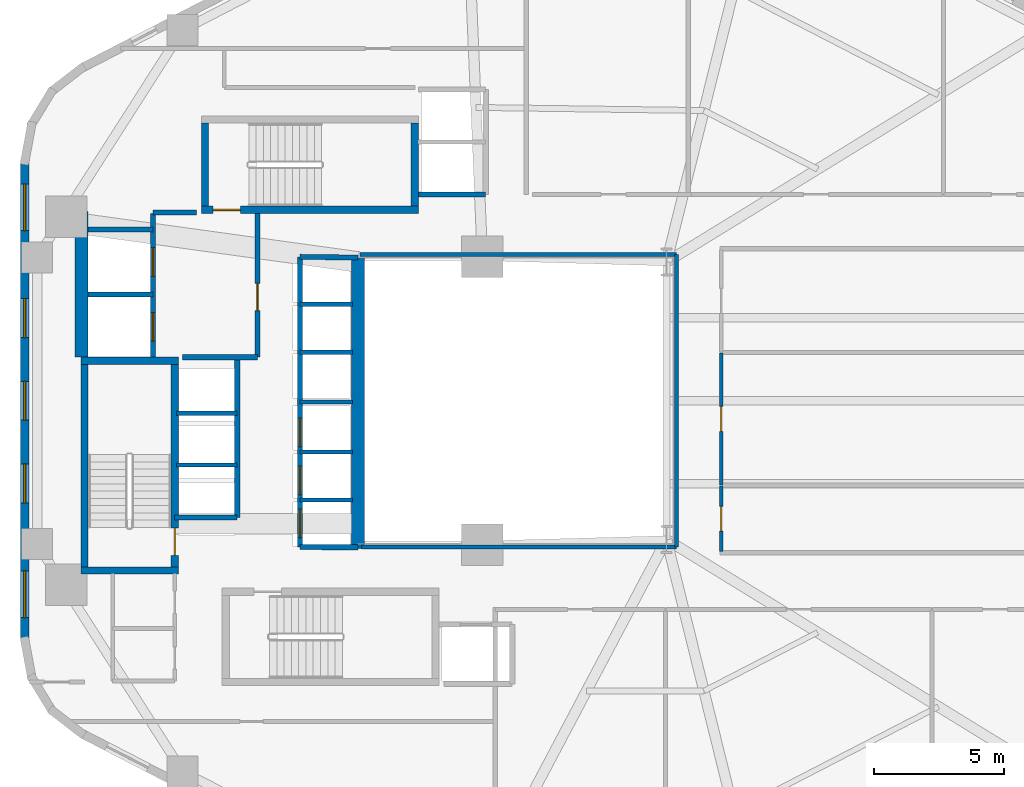
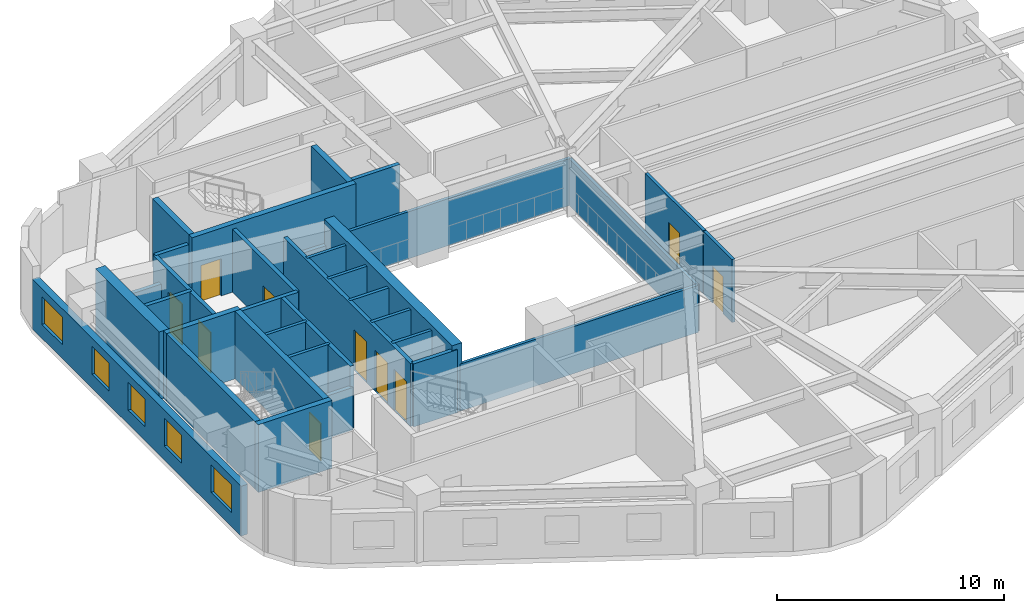
# One storey, part 3 of 6: 34 walls, 10 doors, 5 windows, 15 openings.
"""IFC4 building model written with IfcOpenShell, lengths in metres."""

from ifc_helpers import new_model, si_unit, direction, frame, frame_2d, origin, place, context, subcontext, project, spatial, rectangle, extrude, material, layer, layer_set, type_object, element, fill, save


model = new_model("IFC4")

# Units and contexts
model_context = context("Model", 3, precision=1e-05, world=origin(), true_north=direction((0.0, 1.0)))
body_context = subcontext(model_context, "Body", "Model", "MODEL_VIEW")
ifc_project = project(units=[si_unit("LENGTHUNIT", "METRE"), si_unit("AREAUNIT", "SQUARE_METRE"), si_unit("VOLUMEUNIT", "CUBIC_METRE"), si_unit("PLANEANGLEUNIT", "RADIAN"), si_unit("MASSUNIT", "GRAM", prefix="KILO"), si_unit("THERMODYNAMICTEMPERATUREUNIT", "KELVIN"), si_unit("POWERUNIT", "WATT")], contexts=[model_context])

# Site, building, storey
site_placement = place(None, origin())
site = spatial("IfcSite", under=ifc_project, at=site_placement, CompositionType="ELEMENT")
building_placement = place(site_placement, origin())
building = spatial("IfcBuilding", under=site, at=building_placement, Name="Skarre Station Tower", CompositionType="ELEMENT")
storey_placement = place(building_placement, frame((0.0, 0.0, 67.14990234375)))
storey = spatial("IfcBuildingStorey", under=building, at=storey_placement, Name="L17", CompositionType="ELEMENT", Elevation=67.14990234375)

# Walls
ifc_material_1 = material(Name="Acoustic Steel-Stud Gypsum Partition", Category="steel")
ifc_layer_1 = layer(ifc_material_1, 0.14990234375, Name="Acoustic Steel-Stud Gypsum Partition")
ifc_layer_set_1 = layer_set([ifc_layer_1], Name="Acoustic Steel-Stud Gypsum Partition")
wall_type_1 = type_object("IfcWallType", Name="Fire-Rated Corridor Acoustic Partition 150", PredefinedType="PARTITIONING", material=ifc_layer_set_1)
wall_1_placement = place(storey_placement, frame((27.699951171875, 18.360107421875, 0.0), z_axis=(0.0, 0.0, 1.0), x_axis=(1.0, 0.0, 0.0)))
element("IfcWall", 1, at=wall_1_placement, inside=storey, type_object=wall_type_1, Name="L17 Interior Partition WL-PT-L17-ATRW-S", PredefinedType="PARTITIONING", context=body_context, shape_type="SweptSolid", body=[
    extrude(rectangle(XDim=12.14013671875, YDim=0.14990234375, at=frame_2d((6.070068359375, 0.0))), origin(), (0.0, 0.0, 1.0), 2.531005859375),
])
wall_2_placement = place(storey_placement, frame((39.840087890625, 29.639892578125, 0.0), z_axis=(0.0, 0.0, 1.0), x_axis=(-1.0, 0.0, 0.0)))
element("IfcWall", 2, at=wall_2_placement, inside=storey, type_object=wall_type_1, Name="L17 Interior Partition WL-PT-L17-ATRW-N", PredefinedType="PARTITIONING", context=body_context, shape_type="SweptSolid", body=[
    extrude(rectangle(XDim=12.2001953125, YDim=0.14990234375, at=frame_2d((6.10009765625, 0.0))), origin(), (0.0, 0.0, 1.0), 2.531005859375),
])
wall_3_placement = place(storey_placement, frame((39.840087890625, 18.360107421875, 0.0), z_axis=(0.0, 0.0, 1.0), x_axis=(0.0, 1.0, 0.0)))
element("IfcWall", 3, at=wall_3_placement, inside=storey, type_object=wall_type_1, Name="L17 Interior Partition WL-PT-L17-ATRW-E", PredefinedType="PARTITIONING", context=body_context, shape_type="SweptSolid", body=[
    extrude(rectangle(XDim=11.27978515625, YDim=0.14990234375, at=frame_2d((5.639892578125, 0.0))), origin(), (0.0, 0.0, 1.0), 2.51318359375),
])

# Wall, opening, door
wall_4_placement = place(storey_placement, frame((41.56005859375, 18.179931640625, 0.0), z_axis=(0.0, 0.0, 1.0), x_axis=(0.0, 1.0, 0.0)))
wall_4 = element("IfcWall", 4, at=wall_4_placement, inside=storey, type_object=wall_type_1, Name="L17 Interior Partition WL-PT-L17-EW1-CW", PredefinedType="PARTITIONING", context=body_context, shape_type="SweptSolid", body=[
    extrude(rectangle(XDim=2.54296875, YDim=0.14990234375, at=frame_2d((1.271484375, 0.0))), origin(), (0.0, 0.0, 1.0), 3.39013671875),
])
opening_1_placement = place(wall_4_placement, frame((0.7919921875, 0.0, 0.0)))
opening_1 = element("IfcOpeningElement", 5, at=opening_1_placement, cuts=wall_4, Name="Opening DR-FD60", PredefinedType="OPENING", context=body_context, shape_type="SweptSolid", body=[
    extrude(rectangle(XDim=0.9599609375, YDim=2.0, at=frame_2d((0.47998046875, 1.0))), frame((0.0, 0.0849609375, 0.0), z_axis=(0.0, -1.0, 0.0), x_axis=(1.0, 0.0, 0.0)), (0.0, 0.0, 1.0), 0.169921875),
])
ifc_material_2 = material(Name="Nordic White-Oak Veneer Solid-Core Fire Leaf", Category="wood")
door_type_1 = type_object("IfcDoorType", Name="Corridor Suite Entry Fire Door FD60 960x2150", OperationType="SINGLE_SWING_LEFT", PredefinedType="DOOR", material=ifc_material_2)
door_1_placement = place(opening_1_placement, origin())
door_1 = element("IfcDoor", 6, at=door_1_placement, inside=storey, type_object=door_type_1, Name="L17 EW1 Entry Door", OperationType="SINGLE_SWING_LEFT", OverallHeight=2.0, OverallWidth=0.9599609375, PredefinedType="DOOR", context=body_context, shape_type="SweptSolid", body=[
    extrude(rectangle(XDim=0.9599609375, YDim=2.0, at=frame_2d((0.47998046875, 1.0))), frame((0.0, 0.02490234375, 0.0), z_axis=(0.0, -1.0, 0.0), x_axis=(1.0, 0.0, 0.0)), (0.0, 0.0, 1.0), 0.050048828125),
])
fill(opening_1, door_1)

wall_5_placement = place(storey_placement, frame((41.56005859375, 20.759033203125, 0.0), z_axis=(0.0, 0.0, 1.0), x_axis=(0.0, 1.0, 0.0)))
wall_5 = element("IfcWall", 7, at=wall_5_placement, inside=storey, type_object=wall_type_1, Name="L17 Interior Partition WL-PT-L17-EW2-CW", PredefinedType="PARTITIONING", context=body_context, shape_type="SweptSolid", body=[
    extrude(rectangle(XDim=5.0849609375, YDim=0.14990234375, at=frame_2d((2.54248046875, 0.0))), origin(), (0.0, 0.0, 1.0), 3.39013671875),
])
opening_2_placement = place(wall_5_placement, frame((2.06298828125, 0.0, 0.0)))
opening_2 = element("IfcOpeningElement", 8, at=opening_2_placement, cuts=wall_5, Name="Opening DR-FD60", PredefinedType="OPENING", context=body_context, shape_type="SweptSolid", body=[
    extrude(rectangle(XDim=0.9599609375, YDim=2.0, at=frame_2d((0.47998046875, 1.0))), frame((0.0, 0.0849609375, 0.0), z_axis=(0.0, -1.0, 0.0), x_axis=(1.0, 0.0, 0.0)), (0.0, 0.0, 1.0), 0.169921875),
])
door_2_placement = place(opening_2_placement, origin())
door_2 = element("IfcDoor", 9, at=door_2_placement, inside=storey, type_object=door_type_1, Name="L17 EW2 Entry Door", OperationType="SINGLE_SWING_LEFT", OverallHeight=2.0, OverallWidth=0.9599609375, PredefinedType="DOOR", context=body_context, shape_type="SweptSolid", body=[
    extrude(rectangle(XDim=0.9599609375, YDim=2.0, at=frame_2d((0.47998046875, 1.0))), frame((0.0, 0.02490234375, 0.0), z_axis=(0.0, -1.0, 0.0), x_axis=(1.0, 0.0, 0.0)), (0.0, 0.0, 1.0), 0.050048828125),
])
fill(opening_2, door_2)

# Wall, openings, windows
ifc_material_3 = material(Name="Precast concrete C45/55", Category="concrete")
ifc_layer_2 = layer(ifc_material_3, 0.340087890625, Name="Precast concrete C45/55")
ifc_layer_set_2 = layer_set([ifc_layer_2], Name="Precast concrete C45/55")
wall_type_2 = type_object("IfcWallType", Name="Nordic Honed Precast Facet Wall 340", PredefinedType="STANDARD", material=ifc_layer_set_2)
wall_6_placement = place(storey_placement, frame((14.70703125, 14.798095703125, 0.0), z_axis=(0.0, 0.0, 1.0), x_axis=(0.0, 1.0, 0.0)))
wall_6 = element("IfcWall", 10, at=wall_6_placement, inside=storey, type_object=wall_type_2, Name="L17 Facet 2 Nordic Precast Masonry Wall", PredefinedType="STANDARD", context=body_context, shape_type="SweptSolid", body=[
    extrude(rectangle(XDim=18.40380859375, YDim=0.340087890625, at=frame_2d((9.201904296875, 0.0))), origin(), (0.0, 0.0, 1.0), 2.68408203125),
])
opening_3_placement = place(wall_6_placement, frame((0.844970703125, 0.0, 0.75)))
opening_3 = element("IfcOpeningElement", 11, at=opening_3_placement, cuts=wall_6, Name="Opening WN-Z1A", PredefinedType="OPENING", context=body_context, shape_type="SweptSolid", body=[
    extrude(rectangle(XDim=1.800048828125, YDim=1.5, at=frame_2d((0.89990234375, 0.75))), frame((0.0, 0.179931640625, 0.0), z_axis=(0.0, -1.0, 0.0), x_axis=(1.0, 0.0, 0.0)), (0.0, 0.0, 1.0), 0.360107421875),
])
opening_4_placement = place(wall_6_placement, frame((5.264892578125, 0.0, 0.75)))
opening_4 = element("IfcOpeningElement", 12, at=opening_4_placement, cuts=wall_6, Name="Opening WN-Z1B", PredefinedType="OPENING", context=body_context, shape_type="SweptSolid", body=[
    extrude(rectangle(XDim=1.5, YDim=1.5, at=frame_2d((0.75, 0.75))), frame((0.0, 0.179931640625, 0.0), z_axis=(0.0, -1.0, 0.0), x_axis=(1.0, 0.0, 0.0)), (0.0, 0.0, 1.0), 0.360107421875),
])
opening_5_placement = place(wall_6_placement, frame((8.451904296875, 0.0, 0.75)))
opening_5 = element("IfcOpeningElement", 13, at=opening_5_placement, cuts=wall_6, Name="Opening WN-Z1B", PredefinedType="OPENING", context=body_context, shape_type="SweptSolid", body=[
    extrude(rectangle(XDim=1.5, YDim=1.5, at=frame_2d((0.75, 0.75))), frame((0.0, 0.179931640625, 0.0), z_axis=(0.0, -1.0, 0.0), x_axis=(1.0, 0.0, 0.0)), (0.0, 0.0, 1.0), 0.360107421875),
])
opening_6_placement = place(wall_6_placement, frame((11.638916015625, 0.0, 0.75)))
opening_6 = element("IfcOpeningElement", 14, at=opening_6_placement, cuts=wall_6, Name="Opening WN-Z1B", PredefinedType="OPENING", context=body_context, shape_type="SweptSolid", body=[
    extrude(rectangle(XDim=1.5, YDim=1.5, at=frame_2d((0.75, 0.75))), frame((0.0, 0.179931640625, 0.0), z_axis=(0.0, -1.0, 0.0), x_axis=(1.0, 0.0, 0.0)), (0.0, 0.0, 1.0), 0.360107421875),
])
opening_7_placement = place(wall_6_placement, frame((15.758056640625, 0.0, 0.75)))
opening_7 = element("IfcOpeningElement", 15, at=opening_7_placement, cuts=wall_6, Name="Opening WN-Z1A", PredefinedType="OPENING", context=body_context, shape_type="SweptSolid", body=[
    extrude(rectangle(XDim=1.800048828125, YDim=1.5, at=frame_2d((0.89990234375, 0.75))), frame((0.0, 0.179931640625, 0.0), z_axis=(0.0, -1.0, 0.0), x_axis=(1.0, 0.0, 0.0)), (0.0, 0.0, 1.0), 0.360107421875),
])
ifc_material_4 = material(Name="Low-Iron Triple Glazing with Bronze Anodized Frame", Category="glass")
window_type_1 = type_object("IfcWindowType", Name="Nordic Punched Triple-Glazed Window 1500x1500", PartitioningType="SINGLE_PANEL", PredefinedType="WINDOW", material=ifc_material_4)
window_1_placement = place(opening_4_placement, origin())
window_1 = element("IfcWindow", 16, at=window_1_placement, inside=storey, type_object=window_type_1, Name="L17 Facade Window WL-FAC-L17-F2-2", OverallHeight=1.5, OverallWidth=1.5, PartitioningType="SINGLE_PANEL", PredefinedType="WINDOW", context=body_context, shape_type="SweptSolid", body=[
    extrude(rectangle(XDim=1.5, YDim=1.5, at=frame_2d((0.75, 0.75))), frame((0.0, 0.030029296875, 0.0), z_axis=(0.0, -1.0, 0.0), x_axis=(1.0, 0.0, 0.0)), (0.0, 0.0, 1.0), 0.06005859375),
])
fill(opening_4, window_1)
window_2_placement = place(opening_5_placement, origin())
window_2 = element("IfcWindow", 17, at=window_2_placement, inside=storey, type_object=window_type_1, Name="L17 Facade Window WL-FAC-L17-F2-3", OverallHeight=1.5, OverallWidth=1.5, PartitioningType="SINGLE_PANEL", PredefinedType="WINDOW", context=body_context, shape_type="SweptSolid", body=[
    extrude(rectangle(XDim=1.5, YDim=1.5, at=frame_2d((0.75, 0.75))), frame((0.0, 0.030029296875, 0.0), z_axis=(0.0, -1.0, 0.0), x_axis=(1.0, 0.0, 0.0)), (0.0, 0.0, 1.0), 0.06005859375),
])
fill(opening_5, window_2)
window_3_placement = place(opening_6_placement, origin())
window_3 = element("IfcWindow", 18, at=window_3_placement, inside=storey, type_object=window_type_1, Name="L17 Facade Window WL-FAC-L17-F2-4", OverallHeight=1.5, OverallWidth=1.5, PartitioningType="SINGLE_PANEL", PredefinedType="WINDOW", context=body_context, shape_type="SweptSolid", body=[
    extrude(rectangle(XDim=1.5, YDim=1.5, at=frame_2d((0.75, 0.75))), frame((0.0, 0.030029296875, 0.0), z_axis=(0.0, -1.0, 0.0), x_axis=(1.0, 0.0, 0.0)), (0.0, 0.0, 1.0), 0.06005859375),
])
fill(opening_6, window_3)
window_type_2 = type_object("IfcWindowType", Name="Nordic Punched Triple-Glazed Window 1800x1500", PartitioningType="SINGLE_PANEL", PredefinedType="WINDOW", material=ifc_material_4)
window_4_placement = place(opening_3_placement, origin())
window_4 = element("IfcWindow", 19, at=window_4_placement, inside=storey, type_object=window_type_2, Name="L17 Facade Window WL-FAC-L17-F2-1", OverallHeight=1.5, OverallWidth=1.800048828125, PartitioningType="SINGLE_PANEL", PredefinedType="WINDOW", context=body_context, shape_type="SweptSolid", body=[
    extrude(rectangle(XDim=1.800048828125, YDim=1.5, at=frame_2d((0.89990234375, 0.75))), frame((0.0, 0.030029296875, 0.0), z_axis=(0.0, -1.0, 0.0), x_axis=(1.0, 0.0, 0.0)), (0.0, 0.0, 1.0), 0.06005859375),
])
fill(opening_3, window_4)
window_5_placement = place(opening_7_placement, origin())
window_5 = element("IfcWindow", 20, at=window_5_placement, inside=storey, type_object=window_type_2, Name="L17 Facade Window WL-FAC-L17-F2-5", OverallHeight=1.5, OverallWidth=1.800048828125, PartitioningType="SINGLE_PANEL", PredefinedType="WINDOW", context=body_context, shape_type="SweptSolid", body=[
    extrude(rectangle(XDim=1.800048828125, YDim=1.5, at=frame_2d((0.89990234375, 0.75))), frame((0.0, 0.030029296875, 0.0), z_axis=(0.0, -1.0, 0.0), x_axis=(1.0, 0.0, 0.0)), (0.0, 0.0, 1.0), 0.06005859375),
])
fill(opening_7, window_5)

# Walls
ifc_material_5 = material(Name="Concrete C50/60", Category="concrete")
ifc_layer_3 = layer(ifc_material_5, 0.280029296875, Name="Concrete C50/60")
ifc_layer_set_3 = layer_set([ifc_layer_3], Name="Concrete C50/60")
wall_type_3 = type_object("IfcWallType", Name="RC Core Shear Wall 280", PredefinedType="SHEAR", material=ifc_layer_set_3)
for number, where, z_axis, x_axis, name in (
    (21, (16.8701171875, 17.4599609375, 0.0), (0.0, 0.0, 1.0), (1.0, 0.0, 0.0), "L17 Stair ST-1 South Shear Wall"),
    (22, (20.6298828125, 25.5400390625, 0.0), (0.0, 0.0, 1.0), (-1.0, 0.0, 0.0), "L17 Stair ST-1 North Shear Wall"),
):
    element("IfcWall", number, at=place(storey_placement, frame(where, z_axis=z_axis, x_axis=x_axis)), inside=storey, type_object=wall_type_3, Name=name, PredefinedType="SHEAR", context=body_context, shape_type="SweptSolid", body=[
        extrude(rectangle(XDim=3.759765625, YDim=0.280029296875, at=frame_2d((1.8798828125, 0.0))), origin(), (0.0, 0.0, 1.0), 3.650146484375),
    ])
wall_7_placement = place(storey_placement, frame((17.010009765625, 25.39990234375, 0.0), z_axis=(0.0, 0.0, 1.0), x_axis=(0.0, -1.0, 0.0)))
element("IfcWall", 23, at=wall_7_placement, inside=storey, type_object=wall_type_3, Name="L17 Stair ST-1 West Shear Wall", PredefinedType="SHEAR", context=body_context, shape_type="SweptSolid", body=[
    extrude(rectangle(XDim=7.7998046875, YDim=0.280029296875, at=frame_2d((3.89990234375, 0.0))), origin(), (0.0, 0.0, 1.0), 3.650146484375),
])

# Wall, opening, door
wall_8_placement = place(storey_placement, frame((20.489990234375, 17.60009765625, 0.0), z_axis=(0.0, 0.0, 1.0), x_axis=(0.0, 1.0, 0.0)))
wall_8 = element("IfcWall", 24, at=wall_8_placement, inside=storey, type_object=wall_type_3, Name="L17 Stair ST-1 East Shear Wall", PredefinedType="SHEAR", context=body_context, shape_type="SweptSolid", body=[
    extrude(rectangle(XDim=7.7998046875, YDim=0.280029296875, at=frame_2d((3.89990234375, 0.0))), origin(), (0.0, 0.0, 1.0), 3.650146484375),
])
opening_8_placement = place(wall_8_placement, frame((0.43994140625, 0.0, 0.0)))
opening_8 = element("IfcOpeningElement", 25, at=opening_8_placement, cuts=wall_8, Name="Opening DR-FD90", PredefinedType="OPENING", context=body_context, shape_type="SweptSolid", body=[
    extrude(rectangle(XDim=1.050048828125, YDim=2.0, at=frame_2d((0.52490234375, 1.0))), frame((0.0, 0.14990234375, 0.0), z_axis=(0.0, -1.0, 0.0), x_axis=(1.0, 0.0, 0.0)), (0.0, 0.0, 1.0), 0.300048828125),
])
ifc_material_6 = material(Name="Fire-Rated Insulated Steel Frame & Timber Core Leaf", Category="steel")
door_type_2 = type_object("IfcDoorType", Name="Stair & FSAE Lobby Fire Door FD90 1050x2150", OperationType="SINGLE_SWING_RIGHT", PredefinedType="DOOR", material=ifc_material_6)
door_3_placement = place(opening_8_placement, origin())
door_3 = element("IfcDoor", 26, at=door_3_placement, inside=storey, type_object=door_type_2, Name="L17 Stair ST-1 Exit Door", OperationType="SINGLE_SWING_RIGHT", OverallHeight=2.0, OverallWidth=1.050048828125, PredefinedType="DOOR", context=body_context, shape_type="SweptSolid", body=[
    extrude(rectangle(XDim=1.050048828125, YDim=2.0, at=frame_2d((0.52490234375, 1.0))), frame((0.0, 0.02490234375, 0.0), z_axis=(0.0, -1.0, 0.0), x_axis=(1.0, 0.0, 0.0)), (0.0, 0.0, 1.0), 0.050048828125),
])
fill(opening_8, door_3)

wall_9_placement = place(storey_placement, frame((21.52001953125, 31.360107421875, 0.0), z_axis=(0.0, 0.0, 1.0), x_axis=(1.0, 0.0, 0.0)))
wall_9 = element("IfcWall", 27, at=wall_9_placement, inside=storey, type_object=wall_type_3, Name="L17 Stair ST-3 South Shear Wall", PredefinedType="SHEAR", context=body_context, shape_type="SweptSolid", body=[
    extrude(rectangle(XDim=8.35986328125, YDim=0.280029296875, at=frame_2d((4.179931640625, 0.0))), origin(), (0.0, 0.0, 1.0), 3.650146484375),
])
opening_9_placement = place(wall_9_placement, frame((0.449951171875, 0.0, 0.0)))
opening_9 = element("IfcOpeningElement", 28, at=opening_9_placement, cuts=wall_9, Name="Opening DR-FD90", PredefinedType="OPENING", context=body_context, shape_type="SweptSolid", body=[
    extrude(rectangle(XDim=1.050048828125, YDim=2.0, at=frame_2d((0.52490234375, 1.0))), frame((0.0, 0.14990234375, 0.0), z_axis=(0.0, -1.0, 0.0), x_axis=(1.0, 0.0, 0.0)), (0.0, 0.0, 1.0), 0.300048828125),
])
door_4_placement = place(opening_9_placement, origin())
door_4 = element("IfcDoor", 29, at=door_4_placement, inside=storey, type_object=door_type_2, Name="L17 Stair ST-3 & FSAE Lobby Direct Exit Door", OperationType="SINGLE_SWING_LEFT", OverallHeight=2.0, OverallWidth=1.050048828125, PredefinedType="DOOR", context=body_context, shape_type="SweptSolid", body=[
    extrude(rectangle(XDim=1.050048828125, YDim=2.0, at=frame_2d((0.52490234375, 1.0))), frame((0.0, 0.02490234375, 0.0), z_axis=(0.0, -1.0, 0.0), x_axis=(1.0, 0.0, 0.0)), (0.0, 0.0, 1.0), 0.050048828125),
])
fill(opening_9, door_4)

# Walls
for number, where, z_axis, x_axis, name in (
    (30, (21.659912109375, 34.699951171875, 0.0), (0.0, 0.0, 1.0), (0.0, -1.0, 0.0), "L17 Stair ST-3 West Shear Wall"),
    (31, (29.739990234375, 31.5, 0.0), (0.0, 0.0, 1.0), (0.0, 1.0, 0.0), "L17 Stair ST-3 East Shear Wall"),
):
    element("IfcWall", number, at=place(storey_placement, frame(where, z_axis=z_axis, x_axis=x_axis)), inside=storey, type_object=wall_type_3, Name=name, PredefinedType="SHEAR", context=body_context, shape_type="SweptSolid", body=[
        extrude(rectangle(XDim=3.199951171875, YDim=0.280029296875, at=frame_2d((1.60009765625, 0.0))), origin(), (0.0, 0.0, 1.0), 3.650146484375),
    ])
ifc_material_7 = material(Name="Concrete C70/85", Category="concrete")
ifc_layer_4 = layer(ifc_material_7, 0.5, Name="Concrete C70/85")
ifc_layer_set_4 = layer_set([ifc_layer_4], Name="Concrete C70/85")
wall_type_4 = type_object("IfcWallType", Name="RC Core Shear Wall 500", PredefinedType="SHEAR", material=ifc_layer_set_4)
wall_10_placement = place(storey_placement, frame((16.89990234375, 25.679931640625, 0.0), z_axis=(0.0, 0.0, 1.0), x_axis=(0.0, 1.0, 0.0)))
element("IfcWall", 32, at=wall_10_placement, inside=storey, type_object=wall_type_4, Name="L17 Core West-North Shear Wall", PredefinedType="SHEAR", context=body_context, shape_type="SweptSolid", body=[
    extrude(rectangle(XDim=5.6201171875, YDim=0.5, at=frame_2d((2.81005859375, 0.0))), origin(), (0.0, 0.0, 1.0), 3.650146484375),
])
wall_11_placement = place(storey_placement, frame((27.550048828125, 29.550048828125, 0.0), z_axis=(0.0, 0.0, 1.0), x_axis=(0.0, -1.0, 0.0)))
element("IfcWall", 33, at=wall_11_placement, inside=storey, type_object=wall_type_4, Name="L17 Core East Atrium Shear Wall", PredefinedType="SHEAR", context=body_context, shape_type="SweptSolid", body=[
    extrude(rectangle(XDim=11.25, YDim=0.5, at=frame_2d((5.625, 0.0))), origin(), (0.0, 0.0, 1.0), 3.650146484375),
])

# Wall, openings, doors
ifc_material_8 = material(Name="Gypsum Concrete Shaft Assembly C30/37", Category="concrete")
ifc_layer_5 = layer(ifc_material_8, 0.199951171875, Name="Gypsum Concrete Shaft Assembly C30/37")
ifc_layer_set_5 = layer_set([ifc_layer_5], Name="Gypsum Concrete Shaft Assembly C30/37")
wall_type_5 = type_object("IfcWallType", Name="Shaft & Core Fire Partition 200", PredefinedType="PARTITIONING", material=ifc_layer_set_5)
wall_12_placement = place(storey_placement, frame((19.64990234375, 25.679931640625, 0.0), z_axis=(0.0, 0.0, 1.0), x_axis=(0.0, 1.0, 0.0)))
wall_12 = element("IfcWall", 34, at=wall_12_placement, inside=storey, type_object=wall_type_5, Name="L17 Interior Partition WL-PT-L17-FSAE-W", PredefinedType="PARTITIONING", context=body_context, shape_type="SweptSolid", body=[
    extrude(rectangle(XDim=5.5400390625, YDim=0.199951171875, at=frame_2d((2.77001953125, 0.0))), origin(), (0.0, 0.0, 1.0), 3.39013671875),
])
opening_10_placement = place(wall_12_placement, frame((0.6201171875, 0.0, 0.0)))
opening_10 = element("IfcOpeningElement", 35, at=opening_10_placement, cuts=wall_12, Name="Opening LD-FF1", PredefinedType="OPENING", context=body_context, shape_type="SweptSolid", body=[
    extrude(rectangle(XDim=1.10009765625, YDim=2.199951171875, at=frame_2d((0.550048828125, 1.10009765625))), frame((0.0, 0.10986328125, 0.0), z_axis=(0.0, -1.0, 0.0), x_axis=(1.0, 0.0, 0.0)), (0.0, 0.0, 1.0), 0.219970703125),
])
opening_11_placement = place(wall_12_placement, frame((3.1201171875, 0.0, 0.0)))
opening_11 = element("IfcOpeningElement", 36, at=opening_11_placement, cuts=wall_12, Name="Opening LD-FF2", PredefinedType="OPENING", context=body_context, shape_type="SweptSolid", body=[
    extrude(rectangle(XDim=1.10009765625, YDim=2.199951171875, at=frame_2d((0.550048828125, 1.10009765625))), frame((0.0, 0.10986328125, 0.0), z_axis=(0.0, -1.0, 0.0), x_axis=(1.0, 0.0, 0.0)), (0.0, 0.0, 1.0), 0.219970703125),
])
ifc_material_9 = material(Name="Fire-Rated Stainless Steel Grade 316L Sliding Leaves", Category="steel")
door_type_3 = type_object("IfcDoorType", Name="Fire Service Access Elevator Sliding Landing Door 1100x2200", OperationType="SLIDING_TO_LEFT", PredefinedType="DOOR", material=ifc_material_9)
door_5_placement = place(opening_10_placement, origin())
door_5 = element("IfcDoor", 37, at=door_5_placement, inside=storey, type_object=door_type_3, Name="L17 Firefighting Lift LF-FF1 Landing Door", OperationType="SLIDING_TO_LEFT", OverallHeight=2.199951171875, OverallWidth=1.10009765625, PredefinedType="DOOR", context=body_context, shape_type="SweptSolid", body=[
    extrude(rectangle(XDim=1.10009765625, YDim=2.199951171875, at=frame_2d((0.550048828125, 1.10009765625))), frame((0.0, 0.02490234375, 0.0), z_axis=(0.0, -1.0, 0.0), x_axis=(1.0, 0.0, 0.0)), (0.0, 0.0, 1.0), 0.050048828125),
])
fill(opening_10, door_5)
door_6_placement = place(opening_11_placement, origin())
door_6 = element("IfcDoor", 38, at=door_6_placement, inside=storey, type_object=door_type_3, Name="L17 Firefighting Lift LF-FF2 Landing Door", OperationType="SLIDING_TO_LEFT", OverallHeight=2.199951171875, OverallWidth=1.10009765625, PredefinedType="DOOR", context=body_context, shape_type="SweptSolid", body=[
    extrude(rectangle(XDim=1.10009765625, YDim=2.199951171875, at=frame_2d((0.550048828125, 1.10009765625))), frame((0.0, 0.02490234375, 0.0), z_axis=(0.0, -1.0, 0.0), x_axis=(1.0, 0.0, 0.0)), (0.0, 0.0, 1.0), 0.050048828125),
])
fill(opening_11, door_6)

# Wall
wall_13_placement = place(storey_placement, frame((20.79296875, 25.679931640625, 0.0), z_axis=(0.0, 0.0, 1.0), x_axis=(1.0, 0.0, 0.0)))
element("IfcWall", 39, at=wall_13_placement, inside=storey, type_object=wall_type_5, Name="L17 Interior Partition WL-PT-L17-FSAE-S", PredefinedType="PARTITIONING", context=body_context, shape_type="SweptSolid", body=[
    extrude(rectangle(XDim=2.886962890625, YDim=0.199951171875, at=frame_2d((1.443359375, 0.0))), origin(), (0.0, 0.0, 1.0), 3.39013671875),
])

# Wall, opening, door
wall_14_placement = place(storey_placement, frame((23.679931640625, 25.679931640625, 0.0), z_axis=(0.0, 0.0, 1.0), x_axis=(0.0, 1.0, 0.0)))
wall_14 = element("IfcWall", 40, at=wall_14_placement, inside=storey, type_object=wall_type_5, Name="L17 Interior Partition WL-PT-L17-FSAE-E", PredefinedType="PARTITIONING", context=body_context, shape_type="SweptSolid", body=[
    extrude(rectangle(XDim=5.5400390625, YDim=0.199951171875, at=frame_2d((2.77001953125, 0.0))), origin(), (0.0, 0.0, 1.0), 3.39013671875),
])
opening_12_placement = place(wall_14_placement, frame((1.800048828125, 0.0, 0.0)))
opening_12 = element("IfcOpeningElement", 41, at=opening_12_placement, cuts=wall_14, Name="Opening DR-FD90", PredefinedType="OPENING", context=body_context, shape_type="SweptSolid", body=[
    extrude(rectangle(XDim=1.050048828125, YDim=2.0, at=frame_2d((0.52490234375, 1.0))), frame((0.0, 0.10986328125, 0.0), z_axis=(0.0, -1.0, 0.0), x_axis=(1.0, 0.0, 0.0)), (0.0, 0.0, 1.0), 0.219970703125),
])
door_7_placement = place(opening_12_placement, origin())
door_7 = element("IfcDoor", 42, at=door_7_placement, inside=storey, type_object=door_type_2, Name="L17 FSAE Lobby Fire Door", OperationType="SINGLE_SWING_RIGHT", OverallHeight=2.0, OverallWidth=1.050048828125, PredefinedType="DOOR", context=body_context, shape_type="SweptSolid", body=[
    extrude(rectangle(XDim=1.050048828125, YDim=2.0, at=frame_2d((0.52490234375, 1.0))), frame((0.0, 0.02490234375, 0.0), z_axis=(0.0, -1.0, 0.0), x_axis=(1.0, 0.0, 0.0)), (0.0, 0.0, 1.0), 0.050048828125),
])
fill(opening_12, door_7)

# Walls
wall_15_placement = place(storey_placement, frame((21.330078125, 31.260009765625, 0.0), z_axis=(0.0, 0.0, 1.0), x_axis=(-1.0, 0.0, 0.0)))
element("IfcWall", 43, at=wall_15_placement, inside=storey, type_object=wall_type_5, Name="L17 Interior Partition WL-PT-L17-FSAE-N", PredefinedType="PARTITIONING", context=body_context, shape_type="SweptSolid", body=[
    extrude(rectangle(XDim=1.68017578125, YDim=0.199951171875, at=frame_2d((0.840087890625, 0.0))), origin(), (0.0, 0.0, 1.0), 3.39013671875),
])
wall_16_placement = place(storey_placement, frame((17.14990234375, 28.10009765625, 0.0), z_axis=(0.0, 0.0, 1.0), x_axis=(1.0, 0.0, 0.0)))
element("IfcWall", 44, at=wall_16_placement, inside=storey, type_object=wall_type_5, Name="L17 Interior Partition WL-PT-L17-FF-DIV", PredefinedType="PARTITIONING", context=body_context, shape_type="SweptSolid", body=[
    extrude(rectangle(XDim=2.5, YDim=0.199951171875, at=frame_2d((1.25, 0.0))), origin(), (0.0, 0.0, 1.0), 3.39013671875),
])
wall_17_placement = place(storey_placement, frame((19.64990234375, 30.60009765625, 0.0), z_axis=(0.0, 0.0, 1.0), x_axis=(-1.0, 0.0, 0.0)))
element("IfcWall", 45, at=wall_17_placement, inside=storey, type_object=wall_type_5, Name="L17 Interior Partition WL-PT-L17-FF-N", PredefinedType="PARTITIONING", context=body_context, shape_type="SweptSolid", body=[
    extrude(rectangle(XDim=2.5, YDim=0.199951171875, at=frame_2d((1.25, 0.0))), origin(), (0.0, 0.0, 1.0), 2.2900390625),
])
wall_18_placement = place(storey_placement, frame((32.47998046875, 31.949951171875, 0.0), z_axis=(0.0, 0.0, 1.0), x_axis=(-1.0, 0.0, 0.0)))
element("IfcWall", 46, at=wall_18_placement, inside=storey, type_object=wall_type_5, Name="L17 Interior Partition WL-PT-L17-EX-S", PredefinedType="PARTITIONING", context=body_context, shape_type="SweptSolid", body=[
    extrude(rectangle(XDim=2.60009765625, YDim=0.199951171875, at=frame_2d((1.300048828125, 0.0))), origin(), (0.0, 0.0, 1.0), 3.39013671875),
])
wall_19_placement = place(storey_placement, frame((22.89990234375, 19.5, 0.0), z_axis=(0.0, 0.0, 1.0), x_axis=(0.0, 1.0, 0.0)))
element("IfcWall", 47, at=wall_19_placement, inside=storey, type_object=wall_type_5, Name="L17 Interior Partition WL-PT-L17-B3-E", PredefinedType="PARTITIONING", context=body_context, shape_type="SweptSolid", body=[
    extrude(rectangle(XDim=6.0849609375, YDim=0.199951171875, at=frame_2d((3.04248046875, 0.0))), origin(), (0.0, 0.0, 1.0), 3.39013671875),
])
wall_20_placement = place(storey_placement, frame((20.489990234375, 19.5, 0.0), z_axis=(0.0, 0.0, 1.0), x_axis=(1.0, 0.0, 0.0)))
element("IfcWall", 48, at=wall_20_placement, inside=storey, type_object=wall_type_5, Name="L17 Interior Partition WL-PT-L17-B3-S", PredefinedType="PARTITIONING", context=body_context, shape_type="SweptSolid", body=[
    extrude(rectangle(XDim=2.409912109375, YDim=0.199951171875, at=frame_2d((1.205078125, 0.0))), origin(), (0.0, 0.0, 1.0), 2.2900390625),
])
for number, where, z_axis, x_axis, name in (
    (49, (20.550048828125, 21.52001953125, 0.0), (0.0, 0.0, 1.0), (1.0, 0.0, 0.0), "L17 Interior Partition WL-PT-L17-B3-D1"),
    (50, (20.550048828125, 23.52001953125, 0.0), (0.0, 0.0, 1.0), (1.0, 0.0, 0.0), "L17 Interior Partition WL-PT-L17-B3-D2"),
):
    element("IfcWall", number, at=place(storey_placement, frame(where, z_axis=z_axis, x_axis=x_axis)), inside=storey, type_object=wall_type_5, Name=name, PredefinedType="PARTITIONING", context=body_context, shape_type="SweptSolid", body=[
        extrude(rectangle(XDim=2.349853515625, YDim=0.159912109375, at=frame_2d((1.1748046875, 0.0))), origin(), (0.0, 0.0, 1.0), 3.39013671875),
    ])

# Wall, openings, doors
wall_21_placement = place(storey_placement, frame((25.320068359375, 29.550048828125, 0.0), z_axis=(0.0, 0.0, 1.0), x_axis=(0.0, -1.0, 0.0)))
wall_21 = element("IfcWall", 51, at=wall_21_placement, inside=storey, type_object=wall_type_5, Name="L17 Interior Partition WL-PT-L17-B12-W", PredefinedType="PARTITIONING", context=body_context, shape_type="SweptSolid", body=[
    extrude(rectangle(XDim=11.18994140625, YDim=0.199951171875, at=frame_2d((5.594970703125, 0.0))), origin(), (0.0, 0.0, 1.0), 3.39013671875),
])
opening_13_placement = place(wall_21_placement, frame((6.219970703125, 0.0, 0.0)))
opening_13 = element("IfcOpeningElement", 52, at=opening_13_placement, cuts=wall_21, Name="Opening LD-P3", PredefinedType="OPENING", context=body_context, shape_type="SweptSolid", body=[
    extrude(rectangle(XDim=1.10009765625, YDim=2.199951171875, at=frame_2d((0.550048828125, 1.10009765625))), frame((0.0, 0.10986328125, 0.0), z_axis=(0.0, -1.0, 0.0), x_axis=(1.0, 0.0, 0.0)), (0.0, 0.0, 1.0), 0.219970703125),
])
opening_14_placement = place(wall_21_placement, frame((8.070068359375, 0.0, 0.0)))
opening_14 = element("IfcOpeningElement", 53, at=opening_14_placement, cuts=wall_21, Name="Opening LD-P2", PredefinedType="OPENING", context=body_context, shape_type="SweptSolid", body=[
    extrude(rectangle(XDim=1.10009765625, YDim=2.199951171875, at=frame_2d((0.550048828125, 1.10009765625))), frame((0.0, 0.10986328125, 0.0), z_axis=(0.0, -1.0, 0.0), x_axis=(1.0, 0.0, 0.0)), (0.0, 0.0, 1.0), 0.219970703125),
])
opening_15_placement = place(wall_21_placement, frame((9.72998046875, 0.0, 0.0)))
opening_15 = element("IfcOpeningElement", 54, at=opening_15_placement, cuts=wall_21, Name="Opening LD-P1", PredefinedType="OPENING", context=body_context, shape_type="SweptSolid", body=[
    extrude(rectangle(XDim=1.10009765625, YDim=2.199951171875, at=frame_2d((0.550048828125, 1.10009765625))), frame((0.0, 0.10986328125, 0.0), z_axis=(0.0, -1.0, 0.0), x_axis=(1.0, 0.0, 0.0)), (0.0, 0.0, 1.0), 0.219970703125),
])
ifc_material_10 = material(Name="Brushed Bronze Stainless Steel Sliding Leaves", Category="steel")
door_type_4 = type_object("IfcDoorType", Name="Passenger Elevator Center-Parting Sliding Door 1100x2200", OperationType="SLIDING_TO_LEFT", PredefinedType="DOOR", material=ifc_material_10)
door_8_placement = place(opening_13_placement, origin())
door_8 = element("IfcDoor", 55, at=door_8_placement, inside=storey, type_object=door_type_4, Name="L17 Passenger Lift LF-P3 Landing Door", OperationType="SLIDING_TO_LEFT", OverallHeight=2.199951171875, OverallWidth=1.10009765625, PredefinedType="DOOR", context=body_context, shape_type="SweptSolid", body=[
    extrude(rectangle(XDim=1.10009765625, YDim=2.199951171875, at=frame_2d((0.550048828125, 1.10009765625))), frame((0.0, 0.02490234375, 0.0), z_axis=(0.0, -1.0, 0.0), x_axis=(1.0, 0.0, 0.0)), (0.0, 0.0, 1.0), 0.050048828125),
])
fill(opening_13, door_8)
door_9_placement = place(opening_14_placement, origin())
door_9 = element("IfcDoor", 56, at=door_9_placement, inside=storey, type_object=door_type_4, Name="L17 Passenger Lift LF-P2 Landing Door", OperationType="SLIDING_TO_LEFT", OverallHeight=2.199951171875, OverallWidth=1.10009765625, PredefinedType="DOOR", context=body_context, shape_type="SweptSolid", body=[
    extrude(rectangle(XDim=1.10009765625, YDim=2.199951171875, at=frame_2d((0.550048828125, 1.10009765625))), frame((0.0, 0.02490234375, 0.0), z_axis=(0.0, -1.0, 0.0), x_axis=(1.0, 0.0, 0.0)), (0.0, 0.0, 1.0), 0.050048828125),
])
fill(opening_14, door_9)
door_10_placement = place(opening_15_placement, origin())
door_10 = element("IfcDoor", 57, at=door_10_placement, inside=storey, type_object=door_type_4, Name="L17 Passenger Lift LF-P1 Landing Door", OperationType="SLIDING_TO_LEFT", OverallHeight=2.199951171875, OverallWidth=1.10009765625, PredefinedType="DOOR", context=body_context, shape_type="SweptSolid", body=[
    extrude(rectangle(XDim=1.10009765625, YDim=2.199951171875, at=frame_2d((0.550048828125, 1.10009765625))), frame((0.0, 0.02490234375, 0.0), z_axis=(0.0, -1.0, 0.0), x_axis=(1.0, 0.0, 0.0)), (0.0, 0.0, 1.0), 0.050048828125),
])
fill(opening_15, door_10)

# Walls
wall_22_placement = place(storey_placement, frame((25.320068359375, 18.360107421875, 0.0), z_axis=(0.0, 0.0, 1.0), x_axis=(0.999989925833, -0.004488678231, 0.0)))
element("IfcWall", 58, at=wall_22_placement, inside=storey, type_object=wall_type_5, Name="L17 Interior Partition WL-PT-L17-B12-S", PredefinedType="PARTITIONING", context=body_context, shape_type="SweptSolid", body=[
    extrude(rectangle(XDim=2.22998046875, YDim=0.199951171875, at=frame_2d((1.114990234375, 0.0))), origin(), (0.0, 0.0, 1.0), 3.39013671875),
])
wall_23_placement = place(storey_placement, frame((27.550048828125, 29.52001953125, 0.0), z_axis=(0.0, 0.0, 1.0), x_axis=(-0.999909343457, 0.013464949556, 0.0)))
element("IfcWall", 59, at=wall_23_placement, inside=storey, type_object=wall_type_5, Name="L17 Interior Partition WL-PT-L17-B12-N", PredefinedType="PARTITIONING", context=body_context, shape_type="SweptSolid", body=[
    extrude(rectangle(XDim=2.230224609375, YDim=0.199951171875, at=frame_2d((1.115234375, 0.0))), origin(), (0.0, 0.0, 1.0), 2.2900390625),
])
for number, where, z_axis, x_axis, name in (
    (60, (25.320068359375, 20.169921875, 0.0), (0.0, 0.0, 1.0), (1.0, 0.0, 0.0), "L17 Interior Partition WL-PT-L17-B12-D201"),
    (61, (25.320068359375, 22.02001953125, 0.0), (0.0, 0.0, 1.0), (1.0, 0.0, 0.0), "L17 Interior Partition WL-PT-L17-B12-D220"),
    (62, (25.320068359375, 23.949951171875, 0.0), (0.0, 0.0, 1.0), (1.0, 0.0, 0.0), "L17 Interior Partition WL-PT-L17-B12-D239"),
    (63, (25.320068359375, 25.8701171875, 0.0), (0.0, 0.0, 1.0), (1.0, 0.0, 0.0), "L17 Interior Partition WL-PT-L17-B12-D258"),
    (64, (25.320068359375, 27.719970703125, 0.0), (0.0, 0.0, 1.0), (1.0, 0.0, 0.0), "L17 Interior Partition WL-PT-L17-B12-D277"),
):
    element("IfcWall", number, at=place(storey_placement, frame(where, z_axis=z_axis, x_axis=x_axis)), inside=storey, type_object=wall_type_5, Name=name, PredefinedType="PARTITIONING", context=body_context, shape_type="SweptSolid", body=[
        extrude(rectangle(XDim=2.030029296875, YDim=0.159912109375, at=frame_2d((1.01513671875, 0.0))), origin(), (0.0, 0.0, 1.0), 3.39013671875),
    ])

save(model, "model.ifc")
